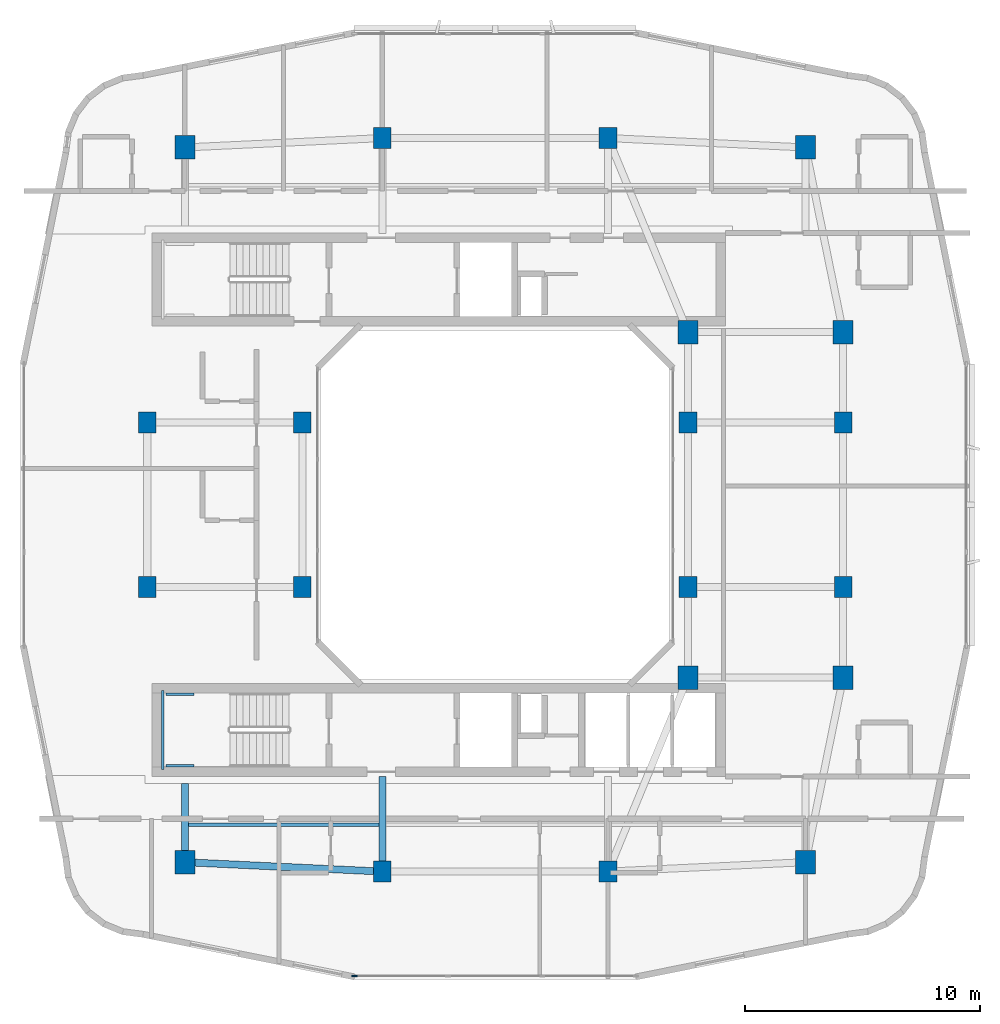
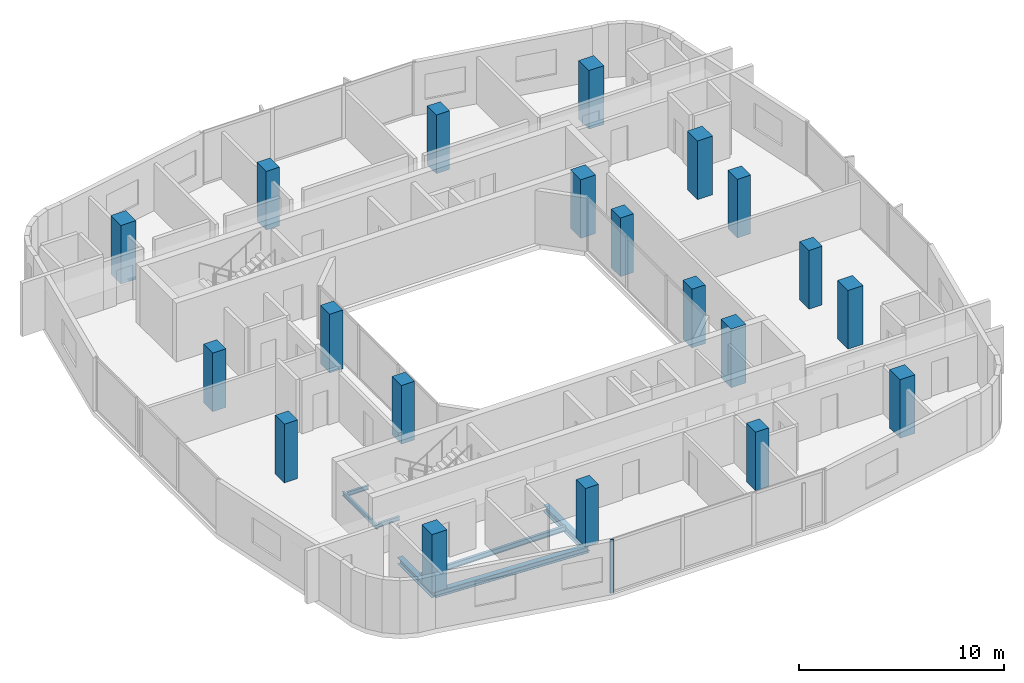
# One storey, part 1 of 14: 20 columns, 7 beams, 1 member, 1 element without a shape of its own.
"""IFC4 building model written with IfcOpenShell, lengths in metres."""

from ifc_helpers import new_model, si_unit, derived_unit, direction, frame, origin, origin_2d, place, context, subcontext, project, spatial, rectangle, i_section, extrude, material, layer, layer_set, material_profile, profile_set, type_object, element, aggregate, save


model = new_model("IFC4")

# Units and contexts
model_context = context("Model", 3, precision=1e-05, world=origin(), true_north=direction((0.0, 1.0)))
body_context = subcontext(model_context, "Body", "Model", "MODEL_VIEW")
ifc_project = project(units=[si_unit("LENGTHUNIT", "METRE"), si_unit("AREAUNIT", "SQUARE_METRE"), si_unit("VOLUMEUNIT", "CUBIC_METRE"), si_unit("PLANEANGLEUNIT", "RADIAN"), si_unit("MASSUNIT", "GRAM", prefix="KILO"), derived_unit("THERMALTRANSMITTANCEUNIT", [(si_unit("POWERUNIT", "WATT"), 1), (si_unit("LENGTHUNIT", "METRE"), -2), (si_unit("THERMODYNAMICTEMPERATUREUNIT", "KELVIN"), -1)])], contexts=[model_context])

# Site, building, storey
site_placement = place(None, origin())
site = spatial("IfcSite", under=ifc_project, at=site_placement, CompositionType="ELEMENT")
building_placement = place(site_placement, origin())
building = spatial("IfcBuilding", under=site, at=building_placement, Name="Kivonza Crest Hotel", CompositionType="ELEMENT")
storey_placement = place(building_placement, frame((0.0, 0.0, 169.5)))
storey = spatial("IfcBuildingStorey", under=building, at=storey_placement, Name="L46", CompositionType="ELEMENT", Elevation=169.5)

# Columns
ifc_material_1 = material(Name="Concrete C50/60", Category="concrete")
ifc_material_profile_1 = material_profile(ifc_material_1, rectangle(XDim=0.85009765625, YDim=1.0, at=origin_2d()), Name="RC 1000x850")
ifc_profile_set_1 = profile_set([ifc_material_profile_1], Name="Concrete C50/60")
column_type_1 = type_object("IfcColumnType", Name="CL-RC-1000x850", PredefinedType="COLUMN", material=ifc_profile_set_1)
for number, where, z_axis, x_axis, name in (
    (1, (7.800048828125, 9.800048828125, 0.0), (0.0, 0.0, 1.0), (1.0, 0.0, 0.0), "Tower T1 L46 column SW"),
    (2, (34.199951171875, 9.800048828125, 0.0), (0.0, 0.0, 1.0), (1.0, 0.0, 0.0), "Tower T1 L46 column SE"),
    (3, (34.199951171875, 40.199951171875, 0.0), (0.0, 0.0, 1.0), (1.0, 0.0, 0.0), "Tower T1 L46 column NE"),
    (4, (7.800048828125, 40.199951171875, 0.0), (0.0, 0.0, 1.0), (1.0, 0.0, 0.0), "Tower T1 L46 column NW"),
    (5, (35.800048828125, 17.64990234375, 0.0), (0.0, 0.0, 1.0), (1.0, 0.0, 0.0), "Tower T1 L46 column PSE"),
    (6, (35.800048828125, 32.35009765625, 0.0), (0.0, 0.0, 1.0), (1.0, 0.0, 0.0), "Tower T1 L46 column PNE"),
    (7, (29.199951171875, 17.64990234375, 0.0), (0.0, 0.0, 1.0), (1.0, 0.0, 0.0), "Tower T1 L46 column TSE"),
    (8, (29.199951171875, 32.35009765625, 0.0), (0.0, 0.0, 1.0), (1.0, 0.0, 0.0), "Tower T1 L46 column TNE"),
):
    element("IfcColumn", number, at=place(storey_placement, frame(where, z_axis=z_axis, x_axis=x_axis)), inside=storey, type_object=column_type_1, Name=name, PredefinedType="COLUMN", context=body_context, shape_type="SweptSolid", body=[
        extrude(rectangle(XDim=0.85009765625, YDim=1.0, at=origin_2d()), origin(), (0.0, 0.0, 1.0), 3.5),
    ])
ifc_material_profile_2 = material_profile(ifc_material_1, rectangle(XDim=0.75, YDim=0.89990234375, at=origin_2d()), Name="RC 900x750")
ifc_profile_set_2 = profile_set([ifc_material_profile_2], Name="Concrete C50/60")
column_type_2 = type_object("IfcColumnType", Name="CL-RC-900x750", PredefinedType="COLUMN", material=ifc_profile_set_2)
for number, where, z_axis, x_axis, name in (
    (9, (16.199951171875, 9.39990234375, 0.0), (0.0, 0.0, 1.0), (1.0, 0.0, 0.0), "Tower T1 L46 column S1"),
    (10, (25.800048828125, 9.39990234375, 0.0), (0.0, 0.0, 1.0), (1.0, 0.0, 0.0), "Tower T1 L46 column S2"),
    (11, (16.199951171875, 40.60009765625, 0.0), (0.0, 0.0, 1.0), (1.0, 0.0, 0.0), "Tower T1 L46 column N1"),
    (12, (25.800048828125, 40.60009765625, 0.0), (0.0, 0.0, 1.0), (1.0, 0.0, 0.0), "Tower T1 L46 column N2"),
    (13, (6.199951171875, 21.5, 0.0), (0.0, 0.0, 1.0), (1.0, 0.0, 0.0), "Tower T1 L46 column W1"),
    (14, (6.199951171875, 28.5, 0.0), (0.0, 0.0, 1.0), (1.0, 0.0, 0.0), "Tower T1 L46 column W2"),
    (15, (35.800048828125, 21.5, 0.0), (0.0, 0.0, 1.0), (1.0, 0.0, 0.0), "Tower T1 L46 column E1"),
    (16, (35.800048828125, 28.5, 0.0), (0.0, 0.0, 1.0), (1.0, 0.0, 0.0), "Tower T1 L46 column E2"),
    (17, (12.800048828125, 21.5, 0.0), (0.0, 0.0, 1.0), (1.0, 0.0, 0.0), "Tower T1 L46 column WL1"),
    (18, (12.800048828125, 28.5, 0.0), (0.0, 0.0, 1.0), (1.0, 0.0, 0.0), "Tower T1 L46 column WL2"),
    (19, (29.199951171875, 21.5, 0.0), (0.0, 0.0, 1.0), (1.0, 0.0, 0.0), "Tower T1 L46 column WR1"),
    (20, (29.199951171875, 28.5, 0.0), (0.0, 0.0, 1.0), (1.0, 0.0, 0.0), "Tower T1 L46 column WR2"),
):
    element("IfcColumn", number, at=place(storey_placement, frame(where, z_axis=z_axis, x_axis=x_axis)), inside=storey, type_object=column_type_2, Name=name, PredefinedType="COLUMN", context=body_context, shape_type="SweptSolid", body=[
        extrude(rectangle(XDim=0.75, YDim=0.89990234375, at=origin_2d()), origin(), (0.0, 0.0, 1.0), 3.5),
    ])

# Beams
ifc_material_2 = material(Name="Steel S355", Category="steel")
ifc_material_profile_3 = material_profile(ifc_material_2, i_section(OverallWidth=0.300048828125, OverallDepth=0.360107421875, WebThickness=0.012451171875, FlangeThickness=0.0224609375, FilletRadius=0.027099609375, at=origin_2d()), Name="HEB 360")
ifc_profile_set_3 = profile_set([ifc_material_profile_3], Name="Steel S355")
beam_type_1 = type_object("IfcBeamType", Name="BM-HEB360", PredefinedType="SPANDREL", material=ifc_profile_set_3)
beam_1_placement = place(storey_placement, frame((7.800048828125, 9.800048828125, -0.4599609375), z_axis=(0.998867283688, -0.047583080799, 0.0), x_axis=(0.047583080799, 0.998867283688, 0.0)))
element("IfcBeam", 21, at=beam_1_placement, inside=storey, type_object=beam_type_1, Name="Tower T1 L46 perimeter spandrel SW-S1", PredefinedType="SPANDREL", context=body_context, shape_type="SweptSolid", body=[
    extrude(i_section(OverallWidth=0.300048828125, OverallDepth=0.360107421875, WebThickness=0.012451171875, FlangeThickness=0.0224609375, FilletRadius=0.027099609375, at=origin_2d()), origin(), (0.0, 0.0, 1.0), 8.409423828125),
])
ifc_material_profile_4 = material_profile(ifc_material_2, i_section(OverallWidth=0.300048828125, OverallDepth=0.39990234375, WebThickness=0.013427734375, FlangeThickness=0.02392578125, FilletRadius=0.027099609375, at=origin_2d()), Name="HEB 400")
ifc_profile_set_4 = profile_set([ifc_material_profile_4], Name="Steel S355")
beam_type_2 = type_object("IfcBeamType", Name="BM-HEB400", PredefinedType="BEAM", material=ifc_profile_set_4)
beam_2_placement = place(storey_placement, frame((7.800048828125, 9.800048828125, -0.47998046875), z_axis=(0.0, 1.0, 0.0), x_axis=(-1.0, 0.0, 0.0)))
element("IfcBeam", 22, at=beam_2_placement, inside=storey, type_object=beam_type_2, Name="Tower T1 L46 radial core girder RSW", PredefinedType="BEAM", context=body_context, shape_type="SweptSolid", body=[
    extrude(i_section(OverallWidth=0.300048828125, OverallDepth=0.39990234375, WebThickness=0.013427734375, FlangeThickness=0.02392578125, FilletRadius=0.027099609375, at=origin_2d()), origin(), (0.0, 0.0, 1.0), 3.349853515625),
])
beam_3_placement = place(storey_placement, frame((16.199951171875, 9.39990234375, -0.47998046875), z_axis=(0.0, 1.0, 0.0), x_axis=(-1.0, 0.0, 0.0)))
element("IfcBeam", 23, at=beam_3_placement, inside=storey, type_object=beam_type_2, Name="Tower T1 L46 radial core girder RS1", PredefinedType="BEAM", context=body_context, shape_type="SweptSolid", body=[
    extrude(i_section(OverallWidth=0.300048828125, OverallDepth=0.39990234375, WebThickness=0.013427734375, FlangeThickness=0.02392578125, FilletRadius=0.027099609375, at=origin_2d()), origin(), (0.0, 0.0, 1.0), 4.050048828125),
])
ifc_material_profile_5 = material_profile(ifc_material_2, i_section(OverallWidth=0.14990234375, OverallDepth=0.300048828125, WebThickness=0.007080078125, FlangeThickness=0.0107421875, FilletRadius=0.014892578125, at=origin_2d()), Name="IPE 300")
ifc_profile_set_5 = profile_set([ifc_material_profile_5], Name="Steel S355")
beam_type_3 = type_object("IfcBeamType", Name="BM-IPE300", PredefinedType="JOIST", material=ifc_profile_set_5)
beam_4_placement = place(storey_placement, frame((7.8798828125, 11.39990234375, -0.429931640625), z_axis=(1.0, 0.0, 0.0), x_axis=(0.0, 1.0, 0.0)))
element("IfcBeam", 24, at=beam_4_placement, inside=storey, type_object=beam_type_3, Name="Tower T1 L46 South-West floor joist", PredefinedType="JOIST", context=body_context, shape_type="SweptSolid", body=[
    extrude(i_section(OverallWidth=0.14990234375, OverallDepth=0.300048828125, WebThickness=0.007080078125, FlangeThickness=0.0107421875, FilletRadius=0.014892578125, at=origin_2d()), origin(), (0.0, 0.0, 1.0), 8.240234375),
])
ifc_material_profile_6 = material_profile(ifc_material_2, i_section(OverallWidth=0.1201171875, OverallDepth=0.239990234375, WebThickness=0.006103515625, FlangeThickness=0.009765625, FilletRadius=0.014892578125, at=origin_2d()), Name="IPE 240")
ifc_profile_set_6 = profile_set([ifc_material_profile_6], Name="Steel S355")
beam_type_4 = type_object("IfcBeamType", Name="BM-LLDG-240", PredefinedType="BEAM", material=ifc_profile_set_6)
beam_5_placement = place(storey_placement, frame((6.860107421875, 13.739990234375, 1.429931640625), z_axis=(0.0, 1.0, 0.0), x_axis=(-1.0, 0.0, 0.0)))
element("IfcBeam", 25, at=beam_5_placement, inside=storey, type_object=beam_type_4, Name="Stair ST-T1-S L46 West landing corbel", PredefinedType="BEAM", context=body_context, shape_type="SweptSolid", body=[
    extrude(i_section(OverallWidth=0.1201171875, OverallDepth=0.239990234375, WebThickness=0.006103515625, FlangeThickness=0.009765625, FilletRadius=0.014892578125, at=origin_2d()), origin(), (0.0, 0.0, 1.0), 3.360107421875),
])
for number, where, z_axis, x_axis, name in (
    (26, (6.989990234375, 13.89990234375, 1.429931640625), (1.0, 0.0, 0.0), (0.0, 1.0, 0.0), "Stair ST-T1-S L46 South landing corbel"),
    (27, (6.989990234375, 16.93994140625, 1.429931640625), (1.0, 0.0, 0.0), (0.0, 1.0, 0.0), "Stair ST-T1-S L46 North landing corbel"),
):
    element("IfcBeam", number, at=place(storey_placement, frame(where, z_axis=z_axis, x_axis=x_axis)), inside=storey, type_object=beam_type_4, Name=name, PredefinedType="BEAM", context=body_context, shape_type="SweptSolid", body=[
        extrude(i_section(OverallWidth=0.1201171875, OverallDepth=0.239990234375, WebThickness=0.006103515625, FlangeThickness=0.009765625, FilletRadius=0.014892578125, at=origin_2d()), origin(), (0.0, 0.0, 1.0), 1.2099609375),
    ])

# Curtain wall, member
ifc_material_3 = material(Name="Anodised bronze aluminium and low-E double glazing", Category="aluminium")
ifc_layer = layer(ifc_material_3, 0.179931640625)
ifc_layer_set = layer_set([ifc_layer], Name="Anodised bronze aluminium and low-E double glazing")
curtain_wall_type = type_object("IfcCurtainWallType", Name="CW-SYS-3", PredefinedType="NOTDEFINED", material=ifc_layer_set)
curtain_wall_placement = place(storey_placement, origin())
curtain_wall = element("IfcCurtainWall", 28, at=curtain_wall_placement, inside=storey, type_object=curtain_wall_type, Name="L46 unitised curtain wall CW-T1-L46-08", PredefinedType="NOTDEFINED")
ifc_material_4 = material(Name="Anodised bronze aluminium", Category="aluminium")
ifc_material_profile_7 = material_profile(ifc_material_4, rectangle(XDim=0.074951171875, YDim=0.219970703125, at=origin_2d()), Name="CW-M 75x220")
ifc_profile_set_7 = profile_set([ifc_material_profile_7], Name="Anodised bronze aluminium")
member_type = type_object("IfcMemberType", Name="CW-MUL-75x220", PredefinedType="MULLION", material=ifc_profile_set_7)
member_placement = place(storey_placement, frame((15.017578125, 4.9599609375, 0.0), z_axis=(0.0, 0.0, 1.0), x_axis=(0.0, 1.0, 0.0)))
member = element("IfcMember", 29, at=member_placement, type_object=member_type, Name="CW-3 mullion 1", PredefinedType="MULLION", context=body_context, shape_type="SweptSolid", body=[
    extrude(rectangle(XDim=0.074951171875, YDim=0.219970703125, at=origin_2d()), origin(), (0.0, 0.0, 1.0), 3.179931640625),
])
aggregate(curtain_wall, [member])

save(model, "model.ifc")
